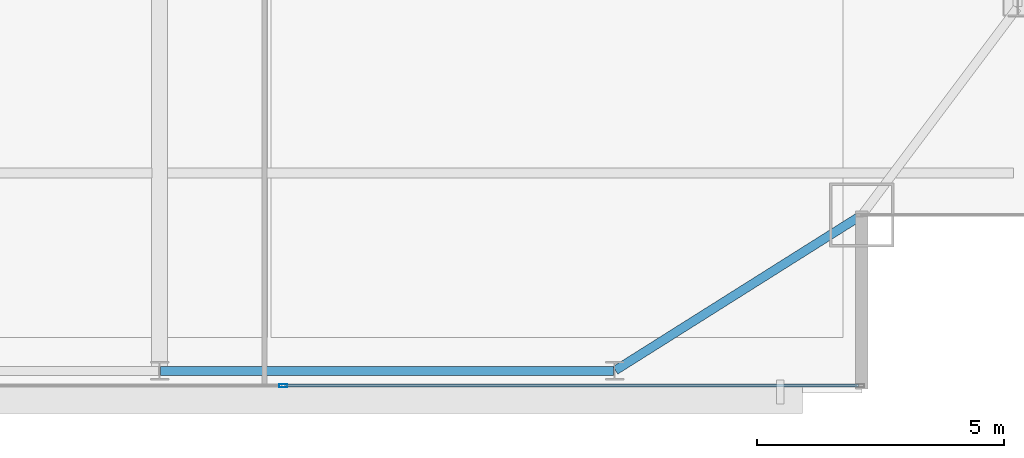
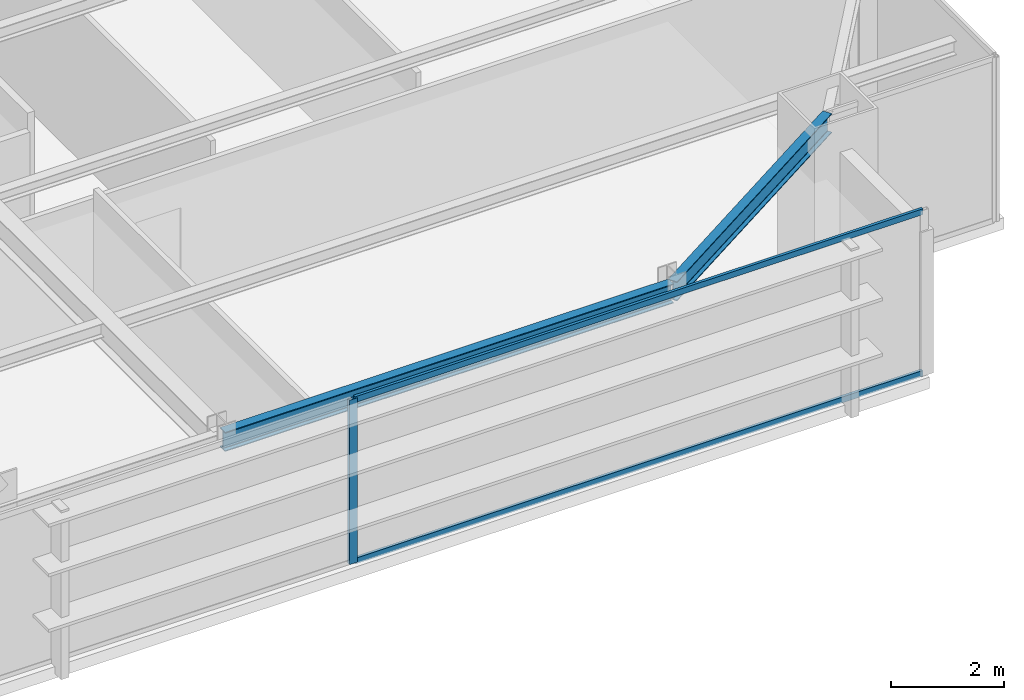
# One storey, part 13 of 30: 3 members, 2 beams, 1 element without a shape of its own.
"""IFC4 building model written with IfcOpenShell, lengths in metres."""

from ifc_helpers import new_model, si_unit, direction, frame, origin, origin_2d, place, context, subcontext, project, spatial, hollow_rectangle, i_section, extrude, source, transform, mapped, material, layer, layer_set, material_profile, profile_set, type_object, type_shapes, element, aggregate, save


model = new_model("IFC4")

# Units and contexts
model_context = context("Model", 3, precision=1e-05, world=origin(), true_north=direction((0.0, 1.0)))
body_context = subcontext(model_context, "Body", "Model", "MODEL_VIEW")
ifc_project = project(units=[si_unit("LENGTHUNIT", "METRE"), si_unit("AREAUNIT", "SQUARE_METRE"), si_unit("VOLUMEUNIT", "CUBIC_METRE"), si_unit("PLANEANGLEUNIT", "RADIAN"), si_unit("MASSUNIT", "GRAM", prefix="KILO")], contexts=[model_context])

# Site, building, storey
site_placement = place(None, origin())
site = spatial("IfcSite", under=ifc_project, at=site_placement, CompositionType="ELEMENT")
building_placement = place(site_placement, origin())
building = spatial("IfcBuilding", under=site, at=building_placement, Name="Varnel Quay Broadcast Tower", CompositionType="ELEMENT")
storey_placement = place(building_placement, frame((0.0, 0.0, 149.60009765625)))
storey = spatial("IfcBuildingStorey", under=building, at=storey_placement, Name="L36", CompositionType="ELEMENT", Elevation=149.60009765625)

# Beams
ifc_material_1 = material(Name="Structural Steel CSA G40.21 350W", Category="steel")
ifc_material_profile_1 = material_profile(ifc_material_1, i_section(OverallWidth=0.180908203125, OverallDepth=0.4169921875, WebThickness=0.010986328125, FlangeThickness=0.018310546875, FilletRadius=0.011962890625, at=origin_2d()), Name="W410X85")
ifc_profile_set_1 = profile_set([ifc_material_profile_1], Name="Structural Steel CSA G40.21 350W")
beam_type = type_object("IfcBeamType", Name="Beam_W410X85", PredefinedType="SPANDREL", material=ifc_profile_set_1)
shared_shape_1 = source(origin(), body_context, "Body", "SweptSolid", [
    extrude(i_section(OverallWidth=0.180908203125, OverallDepth=0.4169921875, WebThickness=0.010986328125, FlangeThickness=0.018310546875, FilletRadius=0.011962890625, at=origin_2d()), origin(), (0.0, 0.0, 1.0), 9.159912109375),
])
beam_1_placement = place(storey_placement, frame((43.219970703125, 7.64990234375, 3.34130859375), z_axis=(1.0, 0.0, 0.0), x_axis=(0.0, 1.0, 0.0)))
element("IfcBeam", 1, at=beam_1_placement, inside=storey, type_object=beam_type, Name="L36 South Spandrel TC-S4-TC-S5", PredefinedType="SPANDREL", context=body_context, shape_type="MappedRepresentation", body=[
    mapped(shared_shape_1, transform((0.0, 0.0, 0.0), x_axis=(1.0, 0.0, 0.0), y_axis=(0.0, 1.0, 0.0), z_axis=(0.0, 0.0, 1.0), scale=1.0)),
])
shared_shape_2 = source(origin(), body_context, "Body", "SweptSolid", [
    extrude(i_section(OverallWidth=0.180908203125, OverallDepth=0.4169921875, WebThickness=0.010986328125, FlangeThickness=0.018310546875, FilletRadius=0.011962890625, at=origin_2d()), origin(), (0.0, 0.0, 1.0), 5.869384765625),
])
type_shapes(beam_type, [shared_shape_1, shared_shape_2])
beam_2_placement = place(storey_placement, frame((52.4169921875, 7.66064453125, 3.34130859375), z_axis=(0.846088328928, 0.533042718412, 0.0), x_axis=(-0.533042718412, 0.846088328928, 0.0)))
element("IfcBeam", 2, at=beam_2_placement, inside=storey, type_object=beam_type, Name="L36 South Spandrel TC-S5-MC-SE", PredefinedType="SPANDREL", context=body_context, shape_type="MappedRepresentation", body=[
    mapped(shared_shape_2, transform((0.0, 0.0, 0.0), x_axis=(1.0, 0.0, 0.0), y_axis=(0.0, 1.0, 0.0), z_axis=(0.0, 0.0, 1.0), scale=1.0)),
])

# Curtain wall, members
ifc_material_2 = material(Name="Anodised Bronze Aluminium 6063-T6", Category="aluminium")
ifc_layer = layer(ifc_material_2, 0.18994140625, Name="Anodised Bronze Aluminium 6063-T6")
ifc_layer_set = layer_set([ifc_layer], Name="Anodised Bronze Aluminium 6063-T6")
curtain_wall_type = type_object("IfcCurtainWallType", Name="CW_UpperTower", PredefinedType="NOTDEFINED", material=ifc_layer_set)
curtain_wall_placement = place(storey_placement, origin())
curtain_wall = element("IfcCurtainWall", 3, at=curtain_wall_placement, inside=storey, type_object=curtain_wall_type, Name="L36 South Unitised Curtain Wall 1", PredefinedType="NOTDEFINED")
ifc_material_profile_2 = material_profile(ifc_material_2, hollow_rectangle(XDim=0.06494140625, YDim=0.1650390625, WallThickness=0.00341796875, at=origin_2d()), Name="ALU65X165X3.5")
ifc_profile_set_2 = profile_set([ifc_material_profile_2], Name="Anodised Bronze Aluminium 6063-T6")
member_type_1 = type_object("IfcMemberType", Name="Mull_CWS-03", PredefinedType="MULLION", material=ifc_profile_set_2)
shared_shape_3 = source(origin(), body_context, "Body", "SweptSolid", [
    extrude(hollow_rectangle(XDim=0.06494140625, YDim=0.1650390625, WallThickness=0.00341796875, at=origin_2d()), origin(), (0.0, 0.0, 1.0), 3.5498046875),
])
type_shapes(member_type_1, [shared_shape_3])
member_1_placement = place(storey_placement, frame((45.699951171875, 7.35009765625, 0.0), z_axis=(0.0, 0.0, 1.0), x_axis=(0.0, 1.0, 0.0)))
member_1 = element("IfcMember", 4, at=member_1_placement, type_object=member_type_1, Name="CWS-03 mullion 4", PredefinedType="MULLION", context=body_context, shape_type="MappedRepresentation", body=[
    mapped(shared_shape_3, transform((0.0, 0.0, 0.0), x_axis=(1.0, 0.0, 0.0), y_axis=(0.0, 1.0, 0.0), z_axis=(0.0, 0.0, 1.0), scale=1.0)),
])
ifc_material_profile_3 = material_profile(ifc_material_2, hollow_rectangle(XDim=0.06005859375, YDim=0.125, WallThickness=0.0029296875, at=origin_2d()), Name="ALU60X125X3")
ifc_profile_set_3 = profile_set([ifc_material_profile_3], Name="Anodised Bronze Aluminium 6063-T6")
member_type_2 = type_object("IfcMemberType", Name="Tran_CWS-03", PredefinedType="USERDEFINED", material=ifc_profile_set_3)
shared_shape_4 = source(origin(), body_context, "Body", "SweptSolid", [
    extrude(hollow_rectangle(XDim=0.06005859375, YDim=0.125, WallThickness=0.0029296875, at=origin_2d()), origin(), (0.0, 0.0, 1.0), 11.6025390625),
])
type_shapes(member_type_2, [shared_shape_4])
member_2_placement = place(storey_placement, frame((45.732421875, 7.35009765625, 0.02978515625), z_axis=(1.0, 0.0, 0.0), x_axis=(0.0, 1.0, 0.0)))
member_2 = element("IfcMember", 5, at=member_2_placement, type_object=member_type_2, Name="CWS-03 transom 4.1", ObjectType="TRANSOM", PredefinedType="USERDEFINED", context=body_context, shape_type="MappedRepresentation", body=[
    mapped(shared_shape_4, transform((0.0, 0.0, 0.0), x_axis=(1.0, 0.0, 0.0), y_axis=(0.0, 1.0, 0.0), z_axis=(0.0, 0.0, 1.0), scale=1.0)),
])
member_3_placement = place(storey_placement, frame((45.732421875, 7.35009765625, 3.52001953125), z_axis=(1.0, 0.0, 0.0), x_axis=(0.0, 1.0, 0.0)))
member_3 = element("IfcMember", 6, at=member_3_placement, type_object=member_type_2, Name="CWS-03 transom 4.2", ObjectType="TRANSOM", PredefinedType="USERDEFINED", context=body_context, shape_type="MappedRepresentation", body=[
    mapped(shared_shape_4, transform((0.0, 0.0, 0.0), x_axis=(1.0, 0.0, 0.0), y_axis=(0.0, 1.0, 0.0), z_axis=(0.0, 0.0, 1.0), scale=1.0)),
])
aggregate(curtain_wall, [member_1, member_2, member_3])

save(model, "model.ifc")
